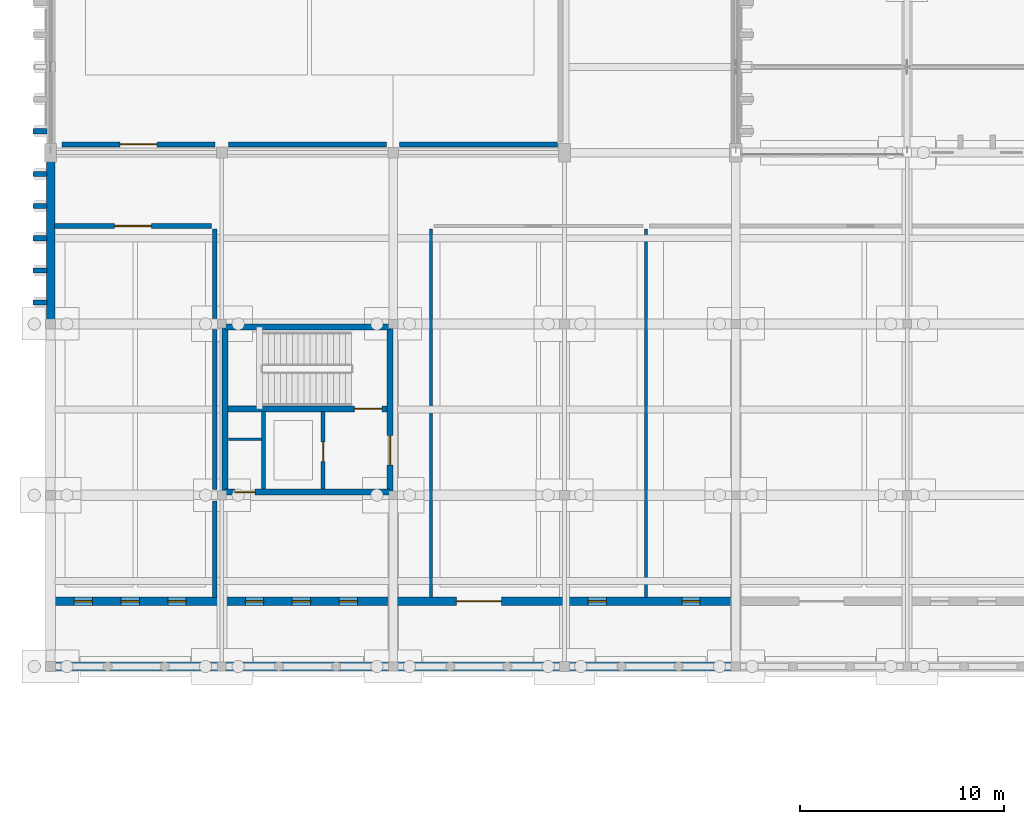
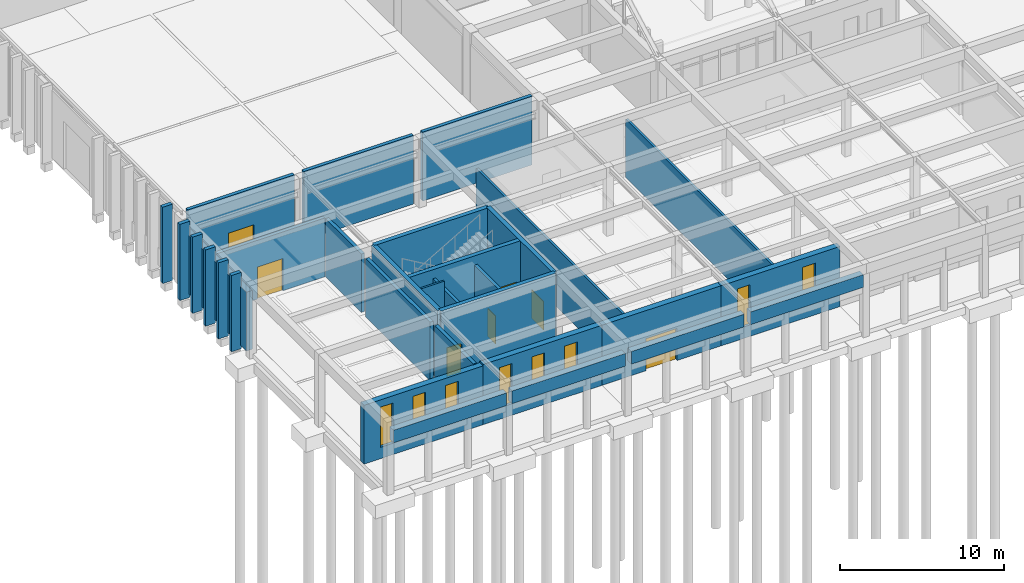
# One storey, part 107 of 143: 32 walls, 8 windows, 7 doors, 15 openings.
"""IFC4 building model written with IfcOpenShell, lengths in metres."""

from ifc_helpers import new_model, si_unit, direction, frame, frame_2d, origin, place, context, subcontext, project, spatial, rectangle, extrude, material, layer, layer_set, type_object, element, fill, save


model = new_model("IFC4")

# Units and contexts
model_context = context("Model", 3, precision=1e-05, world=origin(), true_north=direction((0.0, 1.0)))
body_context = subcontext(model_context, "Body", "Model", "MODEL_VIEW")
ifc_project = project(units=[si_unit("LENGTHUNIT", "METRE"), si_unit("AREAUNIT", "SQUARE_METRE"), si_unit("VOLUMEUNIT", "CUBIC_METRE"), si_unit("PLANEANGLEUNIT", "RADIAN"), si_unit("MASSUNIT", "GRAM", prefix="KILO")], contexts=[model_context])

# Site, building, storey
site_placement = place(None, origin())
site = spatial("IfcSite", under=ifc_project, at=site_placement, CompositionType="ELEMENT")
building_placement = place(site_placement, origin())
building = spatial("IfcBuilding", under=site, at=building_placement, Name="Kveldsbrygga Polytechnic", CompositionType="ELEMENT")
storey_placement = place(building_placement, origin())
storey = spatial("IfcBuildingStorey", under=building, at=storey_placement, Name="L00", CompositionType="ELEMENT", Elevation=0.0)

# Wall, openings, windows
ifc_material_1 = material(Name="Fired clay brick masonry M10", Category="masonry")
ifc_layer_1 = layer(ifc_material_1, 0.419921875)
ifc_layer_set_1 = layer_set([ifc_layer_1], Name="Fired clay brick masonry M10")
wall_type_1 = type_object("IfcWallType", Name="EW-BRICK-420", PredefinedType="SOLIDWALL", material=ifc_layer_set_1)
wall_1_placement = place(storey_placement, frame((0.0, 3.199951171875, 0.0), z_axis=(0.0, 0.0, 1.0), x_axis=(1.0, 0.0, 0.0)))
wall_1 = element("IfcWall", 1, at=wall_1_placement, inside=storey, type_object=wall_type_1, Name="Colonnade Recessed Ground Wall EW-L00-X-00-00", PredefinedType="SOLIDWALL", context=body_context, shape_type="SweptSolid", body=[
    extrude(rectangle(XDim=8.39990234375, YDim=0.419921875, at=frame_2d((4.199951171875, 0.0))), origin(), (0.0, 0.0, 1.0), 4.389892578125),
])
opening_1_placement = place(wall_1_placement, frame((1.14990234375, 0.0, 0.85009765625)))
opening_1 = element("IfcOpeningElement", 2, at=opening_1_placement, cuts=wall_1, Name="Opening W-19", PredefinedType="OPENING", context=body_context, shape_type="SweptSolid", body=[
    extrude(rectangle(XDim=0.89990234375, YDim=3.0, at=frame_2d((0.449951171875, 1.5))), frame((0.0, 0.219970703125, 0.0), z_axis=(0.0, -1.0, 0.0), x_axis=(1.0, 0.0, 0.0)), (0.0, 0.0, 1.0), 0.43994140625),
])
opening_2_placement = place(wall_1_placement, frame((3.449951171875, 0.0, 0.85009765625)))
opening_2 = element("IfcOpeningElement", 3, at=opening_2_placement, cuts=wall_1, Name="Opening W-19", PredefinedType="OPENING", context=body_context, shape_type="SweptSolid", body=[
    extrude(rectangle(XDim=0.89990234375, YDim=3.0, at=frame_2d((0.449951171875, 1.5))), frame((0.0, 0.219970703125, 0.0), z_axis=(0.0, -1.0, 0.0), x_axis=(1.0, 0.0, 0.0)), (0.0, 0.0, 1.0), 0.43994140625),
])
opening_3_placement = place(wall_1_placement, frame((5.75, 0.0, 0.85009765625)))
opening_3 = element("IfcOpeningElement", 4, at=opening_3_placement, cuts=wall_1, Name="Opening W-19", PredefinedType="OPENING", context=body_context, shape_type="SweptSolid", body=[
    extrude(rectangle(XDim=0.89990234375, YDim=3.0, at=frame_2d((0.449951171875, 1.5))), frame((0.0, 0.219970703125, 0.0), z_axis=(0.0, -1.0, 0.0), x_axis=(1.0, 0.0, 0.0)), (0.0, 0.0, 1.0), 0.43994140625),
])
ifc_material_2 = material(Name="Insulated triple low-E glass", Category="glass")
window_type = type_object("IfcWindowType", Name="WN-LANC-090x300", PartitioningType="DOUBLE_PANEL_VERTICAL", PredefinedType="WINDOW", material=ifc_material_2)
window_1_placement = place(opening_1_placement, origin())
window_1 = element("IfcWindow", 5, at=window_1_placement, inside=storey, type_object=window_type, Name="Colonnade Lancet Window WIN-L00-X-00-00-1", OverallHeight=3.0, OverallWidth=0.89990234375, PartitioningType="DOUBLE_PANEL_VERTICAL", PredefinedType="WINDOW", context=body_context, shape_type="SweptSolid", body=[
    extrude(rectangle(XDim=0.89990234375, YDim=3.0, at=frame_2d((0.449951171875, 1.5))), frame((0.0, 0.030029296875, 0.0), z_axis=(0.0, -1.0, 0.0), x_axis=(1.0, 0.0, 0.0)), (0.0, 0.0, 1.0), 0.06005859375),
])
fill(opening_1, window_1)
window_2_placement = place(opening_2_placement, origin())
window_2 = element("IfcWindow", 6, at=window_2_placement, inside=storey, type_object=window_type, Name="Colonnade Lancet Window WIN-L00-X-00-00-2", OverallHeight=3.0, OverallWidth=0.89990234375, PartitioningType="DOUBLE_PANEL_VERTICAL", PredefinedType="WINDOW", context=body_context, shape_type="SweptSolid", body=[
    extrude(rectangle(XDim=0.89990234375, YDim=3.0, at=frame_2d((0.449951171875, 1.5))), frame((0.0, 0.030029296875, 0.0), z_axis=(0.0, -1.0, 0.0), x_axis=(1.0, 0.0, 0.0)), (0.0, 0.0, 1.0), 0.06005859375),
])
fill(opening_2, window_2)
window_3_placement = place(opening_3_placement, origin())
window_3 = element("IfcWindow", 7, at=window_3_placement, inside=storey, type_object=window_type, Name="Colonnade Lancet Window WIN-L00-X-00-00-3", OverallHeight=3.0, OverallWidth=0.89990234375, PartitioningType="DOUBLE_PANEL_VERTICAL", PredefinedType="WINDOW", context=body_context, shape_type="SweptSolid", body=[
    extrude(rectangle(XDim=0.89990234375, YDim=3.0, at=frame_2d((0.449951171875, 1.5))), frame((0.0, 0.030029296875, 0.0), z_axis=(0.0, -1.0, 0.0), x_axis=(1.0, 0.0, 0.0)), (0.0, 0.0, 1.0), 0.06005859375),
])
fill(opening_3, window_3)

# Wall
wall_2_placement = place(storey_placement, frame((0.0, 17.02490234375, 0.0), z_axis=(0.0, 0.0, 1.0), x_axis=(0.0, 1.0, 0.0)))
element("IfcWall", 8, at=wall_2_placement, inside=storey, type_object=wall_type_1, Name="Exterior Brick Wall EW-L00-Y-00-02", PredefinedType="SOLIDWALL", context=body_context, shape_type="SweptSolid", body=[
    extrude(rectangle(XDim=7.739990234375, YDim=0.419921875, at=frame_2d((3.8701171875, 0.0))), origin(), (0.0, 0.0, 1.0), 4.389892578125),
])

# Wall, openings, windows
wall_3_placement = place(storey_placement, frame((8.39990234375, 3.199951171875, 0.0), z_axis=(0.0, 0.0, 1.0), x_axis=(1.0, 0.0, 0.0)))
wall_3 = element("IfcWall", 9, at=wall_3_placement, inside=storey, type_object=wall_type_1, Name="Colonnade Recessed Ground Wall EW-L00-X-01-00", PredefinedType="SOLIDWALL", context=body_context, shape_type="SweptSolid", body=[
    extrude(rectangle(XDim=8.400146484375, YDim=0.419921875, at=frame_2d((4.2001953125, 0.0))), origin(), (0.0, 0.0, 1.0), 4.489990234375),
])
opening_4_placement = place(wall_3_placement, frame((1.14990234375, 0.0, 0.85009765625)))
opening_4 = element("IfcOpeningElement", 10, at=opening_4_placement, cuts=wall_3, Name="Opening W-19", PredefinedType="OPENING", context=body_context, shape_type="SweptSolid", body=[
    extrude(rectangle(XDim=0.89990234375, YDim=3.0, at=frame_2d((0.449951171875, 1.5))), frame((0.0, 0.219970703125, 0.0), z_axis=(0.0, -1.0, 0.0), x_axis=(1.0, 0.0, 0.0)), (0.0, 0.0, 1.0), 0.43994140625),
])
opening_5_placement = place(wall_3_placement, frame((3.449951171875, 0.0, 0.85009765625)))
opening_5 = element("IfcOpeningElement", 11, at=opening_5_placement, cuts=wall_3, Name="Opening W-19", PredefinedType="OPENING", context=body_context, shape_type="SweptSolid", body=[
    extrude(rectangle(XDim=0.89990234375, YDim=3.0, at=frame_2d((0.449951171875, 1.5))), frame((0.0, 0.219970703125, 0.0), z_axis=(0.0, -1.0, 0.0), x_axis=(1.0, 0.0, 0.0)), (0.0, 0.0, 1.0), 0.43994140625),
])
opening_6_placement = place(wall_3_placement, frame((5.75, 0.0, 0.85009765625)))
opening_6 = element("IfcOpeningElement", 12, at=opening_6_placement, cuts=wall_3, Name="Opening W-19", PredefinedType="OPENING", context=body_context, shape_type="SweptSolid", body=[
    extrude(rectangle(XDim=0.89990234375, YDim=3.0, at=frame_2d((0.449951171875, 1.5))), frame((0.0, 0.219970703125, 0.0), z_axis=(0.0, -1.0, 0.0), x_axis=(1.0, 0.0, 0.0)), (0.0, 0.0, 1.0), 0.43994140625),
])
window_4_placement = place(opening_4_placement, origin())
window_4 = element("IfcWindow", 13, at=window_4_placement, inside=storey, type_object=window_type, Name="Colonnade Lancet Window WIN-L00-X-01-00-1", OverallHeight=3.0, OverallWidth=0.89990234375, PartitioningType="DOUBLE_PANEL_VERTICAL", PredefinedType="WINDOW", context=body_context, shape_type="SweptSolid", body=[
    extrude(rectangle(XDim=0.89990234375, YDim=3.0, at=frame_2d((0.449951171875, 1.5))), frame((0.0, 0.030029296875, 0.0), z_axis=(0.0, -1.0, 0.0), x_axis=(1.0, 0.0, 0.0)), (0.0, 0.0, 1.0), 0.06005859375),
])
fill(opening_4, window_4)
window_5_placement = place(opening_5_placement, origin())
window_5 = element("IfcWindow", 14, at=window_5_placement, inside=storey, type_object=window_type, Name="Colonnade Lancet Window WIN-L00-X-01-00-2", OverallHeight=3.0, OverallWidth=0.89990234375, PartitioningType="DOUBLE_PANEL_VERTICAL", PredefinedType="WINDOW", context=body_context, shape_type="SweptSolid", body=[
    extrude(rectangle(XDim=0.89990234375, YDim=3.0, at=frame_2d((0.449951171875, 1.5))), frame((0.0, 0.030029296875, 0.0), z_axis=(0.0, -1.0, 0.0), x_axis=(1.0, 0.0, 0.0)), (0.0, 0.0, 1.0), 0.06005859375),
])
fill(opening_5, window_5)
window_6_placement = place(opening_6_placement, origin())
window_6 = element("IfcWindow", 15, at=window_6_placement, inside=storey, type_object=window_type, Name="Colonnade Lancet Window WIN-L00-X-01-00-3", OverallHeight=3.0, OverallWidth=0.89990234375, PartitioningType="DOUBLE_PANEL_VERTICAL", PredefinedType="WINDOW", context=body_context, shape_type="SweptSolid", body=[
    extrude(rectangle(XDim=0.89990234375, YDim=3.0, at=frame_2d((0.449951171875, 1.5))), frame((0.0, 0.030029296875, 0.0), z_axis=(0.0, -1.0, 0.0), x_axis=(1.0, 0.0, 0.0)), (0.0, 0.0, 1.0), 0.06005859375),
])
fill(opening_6, window_6)

# Wall, opening, door
wall_4_placement = place(storey_placement, frame((16.800048828125, 3.199951171875, 0.0), z_axis=(0.0, 0.0, 1.0), x_axis=(1.0, 0.0, 0.0)))
wall_4 = element("IfcWall", 16, at=wall_4_placement, inside=storey, type_object=wall_type_1, Name="Colonnade Recessed Ground Wall EW-L00-X-02-00", PredefinedType="SOLIDWALL", context=body_context, shape_type="SweptSolid", body=[
    extrude(rectangle(XDim=8.39990234375, YDim=0.419921875, at=frame_2d((4.199951171875, 0.0))), origin(), (0.0, 0.0, 1.0), 4.489990234375),
])
opening_7_placement = place(wall_4_placement, frame((3.10009765625, 0.0, 0.0)))
opening_7 = element("IfcOpeningElement", 17, at=opening_7_placement, cuts=wall_4, Name="Opening ED-01", PredefinedType="OPENING", context=body_context, shape_type="SweptSolid", body=[
    extrude(rectangle(XDim=2.199951171875, YDim=2.39990234375, at=frame_2d((1.10009765625, 1.199951171875))), frame((0.0, 0.219970703125, 0.0), z_axis=(0.0, -1.0, 0.0), x_axis=(1.0, 0.0, 0.0)), (0.0, 0.0, 1.0), 0.43994140625),
])
ifc_material_3 = material(Name="Anodised aluminium AW-6060", Category="aluminium")
door_type_1 = type_object("IfcDoorType", Name="ED-MAIN-220x240", OperationType="DOUBLE_DOOR_SINGLE_SWING", PredefinedType="DOOR", material=ifc_material_3)
door_1_placement = place(opening_7_placement, origin())
door_1 = element("IfcDoor", 18, at=door_1_placement, inside=storey, type_object=door_type_1, Name="Colonnade Entrance Door ED-01", OperationType="DOUBLE_DOOR_SINGLE_SWING", OverallHeight=2.39990234375, OverallWidth=2.199951171875, PredefinedType="DOOR", context=body_context, shape_type="SweptSolid", body=[
    extrude(rectangle(XDim=2.199951171875, YDim=2.39990234375, at=frame_2d((1.10009765625, 1.199951171875))), frame((0.0, 0.02490234375, 0.0), z_axis=(0.0, -1.0, 0.0), x_axis=(1.0, 0.0, 0.0)), (0.0, 0.0, 1.0), 0.050048828125),
])
fill(opening_7, door_1)

# Wall, openings, windows
wall_5_placement = place(storey_placement, frame((25.199951171875, 3.199951171875, 0.0), z_axis=(0.0, 0.0, 1.0), x_axis=(1.0, 0.0, 0.0)))
wall_5 = element("IfcWall", 19, at=wall_5_placement, inside=storey, type_object=wall_type_1, Name="Colonnade Recessed Ground Wall EW-L00-X-03-00", PredefinedType="SOLIDWALL", context=body_context, shape_type="SweptSolid", body=[
    extrude(rectangle(XDim=8.400146484375, YDim=0.419921875, at=frame_2d((4.2001953125, 0.0))), origin(), (0.0, 0.0, 1.0), 4.489990234375),
])
opening_8_placement = place(wall_5_placement, frame((1.14990234375, 0.0, 0.85009765625)))
opening_8 = element("IfcOpeningElement", 20, at=opening_8_placement, cuts=wall_5, Name="Opening W-19", PredefinedType="OPENING", context=body_context, shape_type="SweptSolid", body=[
    extrude(rectangle(XDim=0.89990234375, YDim=3.0, at=frame_2d((0.449951171875, 1.5))), frame((0.0, 0.219970703125, 0.0), z_axis=(0.0, -1.0, 0.0), x_axis=(1.0, 0.0, 0.0)), (0.0, 0.0, 1.0), 0.43994140625),
])
opening_9_placement = place(wall_5_placement, frame((5.75, 0.0, 0.85009765625)))
opening_9 = element("IfcOpeningElement", 21, at=opening_9_placement, cuts=wall_5, Name="Opening W-19", PredefinedType="OPENING", context=body_context, shape_type="SweptSolid", body=[
    extrude(rectangle(XDim=0.89990234375, YDim=3.0, at=frame_2d((0.449951171875, 1.5))), frame((0.0, 0.219970703125, 0.0), z_axis=(0.0, -1.0, 0.0), x_axis=(1.0, 0.0, 0.0)), (0.0, 0.0, 1.0), 0.43994140625),
])
window_7_placement = place(opening_8_placement, origin())
window_7 = element("IfcWindow", 22, at=window_7_placement, inside=storey, type_object=window_type, Name="Colonnade Lancet Window WIN-L00-X-03-00-1", OverallHeight=3.0, OverallWidth=0.89990234375, PartitioningType="DOUBLE_PANEL_VERTICAL", PredefinedType="WINDOW", context=body_context, shape_type="SweptSolid", body=[
    extrude(rectangle(XDim=0.89990234375, YDim=3.0, at=frame_2d((0.449951171875, 1.5))), frame((0.0, 0.030029296875, 0.0), z_axis=(0.0, -1.0, 0.0), x_axis=(1.0, 0.0, 0.0)), (0.0, 0.0, 1.0), 0.06005859375),
])
fill(opening_8, window_7)
window_8_placement = place(opening_9_placement, origin())
window_8 = element("IfcWindow", 23, at=window_8_placement, inside=storey, type_object=window_type, Name="Colonnade Lancet Window WIN-L00-X-03-00-3", OverallHeight=3.0, OverallWidth=0.89990234375, PartitioningType="DOUBLE_PANEL_VERTICAL", PredefinedType="WINDOW", context=body_context, shape_type="SweptSolid", body=[
    extrude(rectangle(XDim=0.89990234375, YDim=3.0, at=frame_2d((0.449951171875, 1.5))), frame((0.0, 0.030029296875, 0.0), z_axis=(0.0, -1.0, 0.0), x_axis=(1.0, 0.0, 0.0)), (0.0, 0.0, 1.0), 0.06005859375),
])
fill(opening_9, window_8)

# Walls
ifc_layer_2 = layer(ifc_material_1, 0.260009765625)
ifc_layer_set_2 = layer_set([ifc_layer_2], Name="Fired clay brick masonry M10")
wall_type_2 = type_object("IfcWallType", Name="EW-BUTT-260", PredefinedType="SOLIDWALL", material=ifc_layer_set_2)
for number, where, z_axis, x_axis, name in (
    (24, (-0.1650390625, 17.85009765625, -0.25), (0.0, 0.0, 1.0), (-1.0, 0.0, 0.0), "Gothic Brick Buttress Pier BUTT-L00-Y-00-02-1"),
    (25, (-0.1650390625, 19.419921875, -0.25), (0.0, 0.0, 1.0), (-1.0, 0.0, 0.0), "Gothic Brick Buttress Pier BUTT-L00-Y-00-02-2"),
    (26, (-0.1650390625, 21.0, -0.25), (0.0, 0.0, 1.0), (-1.0, 0.0, 0.0), "Gothic Brick Buttress Pier BUTT-L00-Y-00-02-3"),
    (27, (-0.1650390625, 22.580078125, -0.25), (0.0, 0.0, 1.0), (-1.0, 0.0, 0.0), "Gothic Brick Buttress Pier BUTT-L00-Y-00-02-4"),
    (28, (-0.1650390625, 24.14990234375, -0.25), (0.0, 0.0, 1.0), (-1.0, 0.0, 0.0), "Gothic Brick Buttress Pier BUTT-L00-Y-00-02-5"),
    (29, (-0.1650390625, 26.25, -0.25), (0.0, 0.0, 1.0), (-1.0, 0.0, 0.0), "Gothic Brick Buttress Pier BUTT-L00-Y-00-03-1"),
):
    element("IfcWall", number, at=place(storey_placement, frame(where, z_axis=z_axis, x_axis=x_axis)), inside=storey, type_object=wall_type_2, Name=name, PredefinedType="SOLIDWALL", context=body_context, shape_type="SweptSolid", body=[
        extrude(rectangle(XDim=0.699951171875, YDim=0.260009765625, at=frame_2d((0.35009765625, 0.0))), origin(), (0.0, 0.0, 1.0), 5.68994140625),
    ])
ifc_material_4 = material(Name="Iddefjord granite ashlar", Category="masonry")
ifc_layer_3 = layer(ifc_material_4, 0.449951171875)
ifc_layer_set_3 = layer_set([ifc_layer_3], Name="Iddefjord granite ashlar")
wall_type_3 = type_object("IfcWallType", Name="EW-GRAN-450", PredefinedType="SOLIDWALL", material=ifc_layer_set_3)
wall_6_placement = place(storey_placement, frame((0.22509765625, 0.0, 3.455078125), z_axis=(0.0, 0.0, 1.0), x_axis=(1.0, 0.0, 0.0)))
element("IfcWall", 30, at=wall_6_placement, inside=storey, type_object=wall_type_3, Name="Harbour Colonnade Granite Arch Header EW-PROM-HDR-00", PredefinedType="SOLIDWALL", context=body_context, shape_type="SweptSolid", body=[
    extrude(rectangle(XDim=7.97998046875, YDim=0.449951171875, at=frame_2d((3.989990234375, 0.0))), origin(), (0.0, 0.0, 1.0), 0.94482421875),
])
wall_7_placement = place(storey_placement, frame((8.594970703125, 0.0, 3.455078125), z_axis=(0.0, 0.0, 1.0), x_axis=(1.0, 0.0, 0.0)))
element("IfcWall", 31, at=wall_7_placement, inside=storey, type_object=wall_type_3, Name="Harbour Colonnade Granite Arch Header EW-PROM-HDR-01", PredefinedType="SOLIDWALL", context=body_context, shape_type="SweptSolid", body=[
    extrude(rectangle(XDim=7.9951171875, YDim=0.449951171875, at=frame_2d((3.99755859375, 0.0))), origin(), (0.0, 0.0, 1.0), 0.94482421875),
])
wall_8_placement = place(storey_placement, frame((17.010009765625, 0.0, 3.455078125), z_axis=(0.0, 0.0, 1.0), x_axis=(1.0, 0.0, 0.0)))
element("IfcWall", 32, at=wall_8_placement, inside=storey, type_object=wall_type_3, Name="Harbour Colonnade Granite Arch Header EW-PROM-HDR-02", PredefinedType="SOLIDWALL", context=body_context, shape_type="SweptSolid", body=[
    extrude(rectangle(XDim=7.965087890625, YDim=0.449951171875, at=frame_2d((3.982421875, 0.0))), origin(), (0.0, 0.0, 1.0), 0.94482421875),
])
wall_9_placement = place(storey_placement, frame((25.425048828125, 0.0, 3.455078125), z_axis=(0.0, 0.0, 1.0), x_axis=(1.0, 0.0, 0.0)))
element("IfcWall", 33, at=wall_9_placement, inside=storey, type_object=wall_type_3, Name="Harbour Colonnade Granite Arch Header EW-PROM-HDR-03", PredefinedType="SOLIDWALL", context=body_context, shape_type="SweptSolid", body=[
    extrude(rectangle(XDim=7.96484375, YDim=0.449951171875, at=frame_2d((3.982421875, 0.0))), origin(), (0.0, 0.0, 1.0), 0.94482421875),
])

# Wall, opening, door
ifc_layer_4 = layer(ifc_material_1, 0.239990234375)
ifc_layer_set_4 = layer_set([ifc_layer_4], Name="Fired clay brick masonry M10")
wall_type_4 = type_object("IfcWallType", Name="IW-COMP-240", PredefinedType="PARTITIONING", material=ifc_layer_set_4)
wall_10_placement = place(storey_placement, frame((0.550048828125, 25.60009765625, 0.0), z_axis=(0.0, 0.0, 1.0), x_axis=(1.0, 0.0, 0.0)))
wall_10 = element("IfcWall", 34, at=wall_10_placement, inside=storey, type_object=wall_type_4, Name="Partition Wall IW-SP-L00-WK1-S1", PredefinedType="PARTITIONING", context=body_context, shape_type="SweptSolid", body=[
    extrude(rectangle(XDim=7.514892578125, YDim=0.239990234375, at=frame_2d((3.75732421875, 0.0))), origin(), (0.0, 0.0, 1.0), 5.139892578125),
])
opening_10_placement = place(wall_10_placement, frame((2.857421875, 0.0, 0.0)))
opening_10 = element("IfcOpeningElement", 35, at=opening_10_placement, cuts=wall_10, Name="Opening ID-L00-016", PredefinedType="OPENING", context=body_context, shape_type="SweptSolid", body=[
    extrude(rectangle(XDim=1.800048828125, YDim=2.39990234375, at=frame_2d((0.89990234375, 1.199951171875))), frame((0.0, 0.1298828125, 0.0), z_axis=(0.0, -1.0, 0.0), x_axis=(1.0, 0.0, 0.0)), (0.0, 0.0, 1.0), 0.260009765625),
])
ifc_material_5 = material(Name="Powder-coated galvanised steel", Category="steel")
door_type_2 = type_object("IfcDoorType", Name="ID-WRK-180x240", OperationType="DOUBLE_DOOR_SINGLE_SWING", PredefinedType="DOOR", material=ifc_material_5)
door_2_placement = place(opening_10_placement, origin())
door_2 = element("IfcDoor", 36, at=door_2_placement, inside=storey, type_object=door_type_2, Name="Interior Door ID-L00-016", OperationType="DOUBLE_DOOR_SINGLE_SWING", OverallHeight=2.39990234375, OverallWidth=1.800048828125, PredefinedType="DOOR", context=body_context, shape_type="SweptSolid", body=[
    extrude(rectangle(XDim=1.800048828125, YDim=2.39990234375, at=frame_2d((0.89990234375, 1.199951171875))), frame((0.0, 0.02490234375, 0.0), z_axis=(0.0, -1.0, 0.0), x_axis=(1.0, 0.0, 0.0)), (0.0, 0.0, 1.0), 0.050048828125),
])
fill(opening_10, door_2)

# Walls
wall_11_placement = place(storey_placement, frame((8.735107421875, 25.60009765625, 0.0), z_axis=(0.0, 0.0, 1.0), x_axis=(1.0, 0.0, 0.0)))
element("IfcWall", 37, at=wall_11_placement, inside=storey, type_object=wall_type_4, Name="Partition Wall IW-SP-L00-WK1-S2", PredefinedType="PARTITIONING", context=body_context, shape_type="SweptSolid", body=[
    extrude(rectangle(XDim=7.744873046875, YDim=0.239990234375, at=frame_2d((3.87255859375, 0.0))), origin(), (0.0, 0.0, 1.0), 5.139892578125),
])
wall_12_placement = place(storey_placement, frame((17.1201171875, 25.60009765625, 0.0), z_axis=(0.0, 0.0, 1.0), x_axis=(1.0, 0.0, 0.0)))
element("IfcWall", 38, at=wall_12_placement, inside=storey, type_object=wall_type_4, Name="Partition Wall IW-SP-L00-WK1-S3", PredefinedType="PARTITIONING", context=body_context, shape_type="SweptSolid", body=[
    extrude(rectangle(XDim=7.72998046875, YDim=0.239990234375, at=frame_2d((3.864990234375, 0.0))), origin(), (0.0, 0.0, 1.0), 5.139892578125),
])

# Wall, opening, door
wall_13_placement = place(storey_placement, frame((0.179931640625, 21.60009765625, 0.0), z_axis=(0.0, 0.0, 1.0), x_axis=(1.0, 0.0, 0.0)))
wall_13 = element("IfcWall", 39, at=wall_13_placement, inside=storey, type_object=wall_type_4, Name="Partition Wall IW-SP-L00-FABLABW-N1", PredefinedType="PARTITIONING", context=body_context, shape_type="SweptSolid", body=[
    extrude(rectangle(XDim=7.719970703125, YDim=0.239990234375, at=frame_2d((3.85986328125, 0.0))), origin(), (0.0, 0.0, 1.0), 4.389892578125),
])
opening_11_placement = place(wall_13_placement, frame((2.9599609375, 0.0, 0.0)))
opening_11 = element("IfcOpeningElement", 40, at=opening_11_placement, cuts=wall_13, Name="Opening ID-L00-021", PredefinedType="OPENING", context=body_context, shape_type="SweptSolid", body=[
    extrude(rectangle(XDim=1.800048828125, YDim=2.39990234375, at=frame_2d((0.89990234375, 1.199951171875))), frame((0.0, 0.1298828125, 0.0), z_axis=(0.0, -1.0, 0.0), x_axis=(1.0, 0.0, 0.0)), (0.0, 0.0, 1.0), 0.260009765625),
])
door_3_placement = place(opening_11_placement, origin())
door_3 = element("IfcDoor", 41, at=door_3_placement, inside=storey, type_object=door_type_2, Name="Interior Door ID-L00-021", OperationType="DOUBLE_DOOR_SINGLE_SWING", OverallHeight=2.39990234375, OverallWidth=1.800048828125, PredefinedType="DOOR", context=body_context, shape_type="SweptSolid", body=[
    extrude(rectangle(XDim=1.800048828125, YDim=2.39990234375, at=frame_2d((0.89990234375, 1.199951171875))), frame((0.0, 0.02490234375, 0.0), z_axis=(0.0, -1.0, 0.0), x_axis=(1.0, 0.0, 0.0)), (0.0, 0.0, 1.0), 0.050048828125),
])
fill(opening_11, door_3)

# Walls
wall_14_placement = place(storey_placement, frame((8.050048828125, 3.3798828125, 0.0), z_axis=(0.0, 0.0, 1.0), x_axis=(0.0, 1.0, 0.0)))
element("IfcWall", 42, at=wall_14_placement, inside=storey, type_object=wall_type_4, Name="Partition Wall IW-SP-L00-FABLABW-E1", PredefinedType="PARTITIONING", context=body_context, shape_type="SweptSolid", body=[
    extrude(rectangle(XDim=4.735107421875, YDim=0.239990234375, at=frame_2d((2.36767578125, 0.0))), origin(), (0.0, 0.0, 1.0), 4.4599609375),
])
wall_15_placement = place(storey_placement, frame((8.050048828125, 8.68505859375, 0.0), z_axis=(0.0, 0.0, 1.0), x_axis=(0.0, 1.0, 0.0)))
element("IfcWall", 43, at=wall_15_placement, inside=storey, type_object=wall_type_4, Name="Partition Wall IW-SP-L00-FABLABW-E2", PredefinedType="PARTITIONING", context=body_context, shape_type="SweptSolid", body=[
    extrude(rectangle(XDim=7.844970703125, YDim=0.239990234375, at=frame_2d((3.92236328125, 0.0))), origin(), (0.0, 0.0, 1.0), 4.360107421875),
])
wall_16_placement = place(storey_placement, frame((8.050048828125, 17.070068359375, 0.0), z_axis=(0.0, 0.0, 1.0), x_axis=(0.0, 1.0, 0.0)))
element("IfcWall", 44, at=wall_16_placement, inside=storey, type_object=wall_type_4, Name="Partition Wall IW-SP-L00-FABLABW-E3", PredefinedType="PARTITIONING", context=body_context, shape_type="SweptSolid", body=[
    extrude(rectangle(XDim=4.3798828125, YDim=0.239990234375, at=frame_2d((2.18994140625, 0.0))), origin(), (0.0, 0.0, 1.0), 4.360107421875),
])
ifc_material_6 = material(Name="Moisture-resistant masonry M10", Category="masonry")
ifc_layer_5 = layer(ifc_material_6, 0.1298828125)
ifc_layer_set_5 = layer_set([ifc_layer_5], Name="Moisture-resistant masonry M10")
wall_type_5 = type_object("IfcWallType", Name="IW-SAN-130", PredefinedType="PARTITIONING", material=ifc_layer_set_5)
wall_17_placement = place(storey_placement, frame((8.719970703125, 11.139892578125, 0.0), z_axis=(0.0, 0.0, 1.0), x_axis=(1.0, 0.0, 0.0)))
element("IfcWall", 45, at=wall_17_placement, inside=storey, type_object=wall_type_5, Name="Core AWC Divider C9-L00-W-RSR", PredefinedType="PARTITIONING", context=body_context, shape_type="SweptSolid", body=[
    extrude(rectangle(XDim=1.6201171875, YDim=0.1298828125, at=frame_2d((0.81005859375, 0.0))), origin(), (0.0, 0.0, 1.0), 5.139892578125),
])
ifc_material_7 = material(Name="Gypsum acoustic stud partition")
ifc_layer_6 = layer(ifc_material_7, 0.159912109375)
ifc_layer_set_6 = layer_set([ifc_layer_6], Name="Gypsum acoustic stud partition")
wall_type_6 = type_object("IfcWallType", Name="IW-STD-160", PredefinedType="PARTITIONING", material=ifc_layer_set_6)
for number, where, z_axis, x_axis, name in (
    (46, (18.64990234375, 3.3798828125, 0.0), (0.0, 0.0, 1.0), (0.0, 1.0, 0.0), "Partition Wall IW-SP-L00-FABLAB-W1"),
    (47, (29.199951171875, 3.3798828125, 0.0), (0.0, 0.0, 1.0), (0.0, 1.0, 0.0), "Partition Wall IW-SP-L00-FABLAB-E1"),
):
    element("IfcWall", number, at=place(storey_placement, frame(where, z_axis=z_axis, x_axis=x_axis)), inside=storey, type_object=wall_type_6, Name=name, PredefinedType="PARTITIONING", context=body_context, shape_type="SweptSolid", body=[
        extrude(rectangle(XDim=18.070068359375, YDim=0.159912109375, at=frame_2d((9.03515625, 0.0))), origin(), (0.0, 0.0, 1.0), 4.360107421875),
    ])

# Wall, opening, door
ifc_material_8 = material(Name="Concrete C45/55", Category="concrete")
ifc_layer_7 = layer(ifc_material_8, 0.300048828125)
ifc_layer_set_7 = layer_set([ifc_layer_7], Name="Concrete C45/55")
wall_type_7 = type_object("IfcWallType", Name="WL-CORE-300", PredefinedType="SHEAR", material=ifc_layer_set_7)
wall_18_placement = place(storey_placement, frame((8.550048828125, 8.550048828125, 0.0), z_axis=(0.0, 0.0, 1.0), x_axis=(1.0, 0.0, 0.0)))
wall_18 = element("IfcWall", 48, at=wall_18_placement, inside=storey, type_object=wall_type_7, Name="Core C9 Shear Wall C9-L00-SW-S", PredefinedType="SHEAR", context=body_context, shape_type="SweptSolid", body=[
    extrude(rectangle(XDim=8.099853515625, YDim=0.300048828125, at=frame_2d((4.0498046875, 0.0))), origin(), (0.0, 0.0, 1.0), 5.139892578125),
])
opening_12_placement = place(wall_18_placement, frame((0.485107421875, 0.0, 0.0)))
opening_12 = element("IfcOpeningElement", 49, at=opening_12_placement, cuts=wall_18, Name="Opening ID-C9-L00-AWC", PredefinedType="OPENING", context=body_context, shape_type="SweptSolid", body=[
    extrude(rectangle(XDim=1.0, YDim=2.14990234375, at=frame_2d((0.5, 1.074951171875))), frame((0.0, 0.16015625, 0.0), z_axis=(0.0, -1.0, 0.0), x_axis=(1.0, 0.0, 0.0)), (0.0, 0.0, 1.0), 0.320068359375),
])
ifc_material_9 = material(Name="Acoustic oak timber", Category="wood")
door_type_3 = type_object("IfcDoorType", Name="ID-AWC-100x215", OperationType="NOTDEFINED", PredefinedType="DOOR", material=ifc_material_9)
door_4_placement = place(opening_12_placement, origin())
door_4 = element("IfcDoor", 50, at=door_4_placement, inside=storey, type_object=door_type_3, Name="Accessible WC Door ID-C9-L00-AWC", OperationType="SINGLE_SWING_RIGHT", OverallHeight=2.14990234375, OverallWidth=1.0, PredefinedType="DOOR", context=body_context, shape_type="SweptSolid", body=[
    extrude(rectangle(XDim=1.0, YDim=2.14990234375, at=frame_2d((0.5, 1.074951171875))), frame((0.0, 0.02490234375, 0.0), z_axis=(0.0, -1.0, 0.0), x_axis=(1.0, 0.0, 0.0)), (0.0, 0.0, 1.0), 0.050048828125),
])
fill(opening_12, door_4)

# Walls
for number, where, z_axis, x_axis, name in (
    (51, (8.550048828125, 16.64990234375, 0.0), (0.0, 0.0, 1.0), (1.0, 0.0, 0.0), "Core C9 Shear Wall C9-L00-SW-N"),
    (52, (8.550048828125, 8.550048828125, 0.0), (0.0, 0.0, 1.0), (0.0, 1.0, 0.0), "Core C9 Shear Wall C9-L00-SW-W"),
):
    element("IfcWall", number, at=place(storey_placement, frame(where, z_axis=z_axis, x_axis=x_axis)), inside=storey, type_object=wall_type_7, Name=name, PredefinedType="SHEAR", context=body_context, shape_type="SweptSolid", body=[
        extrude(rectangle(XDim=8.099853515625, YDim=0.300048828125, at=frame_2d((4.0498046875, 0.0))), origin(), (0.0, 0.0, 1.0), 5.139892578125),
    ])

# Wall, opening, door
wall_19_placement = place(storey_placement, frame((16.64990234375, 8.550048828125, 0.0), z_axis=(0.0, 0.0, 1.0), x_axis=(0.0, 1.0, 0.0)))
wall_19 = element("IfcWall", 53, at=wall_19_placement, inside=storey, type_object=wall_type_7, Name="Core C9 Shear Wall C9-L00-SW-E", PredefinedType="SHEAR", context=body_context, shape_type="SweptSolid", body=[
    extrude(rectangle(XDim=8.099853515625, YDim=0.300048828125, at=frame_2d((4.0498046875, 0.0))), origin(), (0.0, 0.0, 1.0), 5.139892578125),
])
opening_13_placement = place(wall_19_placement, frame((1.324951171875, 0.0, 0.0)))
opening_13 = element("IfcOpeningElement", 54, at=opening_13_placement, cuts=wall_19, Name="Opening FD-C9-L00-LOB", PredefinedType="OPENING", context=body_context, shape_type="SweptSolid", body=[
    extrude(rectangle(XDim=1.449951171875, YDim=2.14990234375, at=frame_2d((0.72509765625, 1.074951171875))), frame((0.0, 0.16015625, 0.0), z_axis=(0.0, -1.0, 0.0), x_axis=(1.0, 0.0, 0.0)), (0.0, 0.0, 1.0), 0.320068359375),
])
door_type_4 = type_object("IfcDoorType", Name="ID-LOBBY-145x215", OperationType="DOUBLE_DOOR_SINGLE_SWING", PredefinedType="DOOR", material=ifc_material_5)
door_5_placement = place(opening_13_placement, origin())
door_5 = element("IfcDoor", 55, at=door_5_placement, inside=storey, type_object=door_type_4, Name="Core Lobby Fire Door FD-C9-L00-LOB", OperationType="DOUBLE_DOOR_SINGLE_SWING", OverallHeight=2.14990234375, OverallWidth=1.449951171875, PredefinedType="DOOR", context=body_context, shape_type="SweptSolid", body=[
    extrude(rectangle(XDim=1.449951171875, YDim=2.14990234375, at=frame_2d((0.72509765625, 1.074951171875))), frame((0.0, 0.02490234375, 0.0), z_axis=(0.0, -1.0, 0.0), x_axis=(1.0, 0.0, 0.0)), (0.0, 0.0, 1.0), 0.050048828125),
])
fill(opening_13, door_5)

wall_20_placement = place(storey_placement, frame((8.699951171875, 12.6298828125, 0.0), z_axis=(0.0, 0.0, 1.0), x_axis=(1.0, 0.0, 0.0)))
wall_20 = element("IfcWall", 56, at=wall_20_placement, inside=storey, type_object=wall_type_7, Name="Core C9 Shear Wall C9-L00-W-DIV", PredefinedType="SHEAR", context=body_context, shape_type="SweptSolid", body=[
    extrude(rectangle(XDim=7.800048828125, YDim=0.300048828125, at=frame_2d((3.89990234375, 0.0))), origin(), (0.0, 0.0, 1.0), 5.139892578125),
])
opening_14_placement = place(wall_20_placement, frame((6.199951171875, 0.0, 0.0)))
opening_14 = element("IfcOpeningElement", 57, at=opening_14_placement, cuts=wall_20, Name="Opening FD-C9-L00-ST", PredefinedType="OPENING", context=body_context, shape_type="SweptSolid", body=[
    extrude(rectangle(XDim=1.35009765625, YDim=2.14990234375, at=frame_2d((0.675048828125, 1.074951171875))), frame((0.0, 0.16015625, 0.0), z_axis=(0.0, -1.0, 0.0), x_axis=(1.0, 0.0, 0.0)), (0.0, 0.0, 1.0), 0.320068359375),
])
door_type_5 = type_object("IfcDoorType", Name="ID-STAIR-135x215", OperationType="NOTDEFINED", PredefinedType="DOOR", material=ifc_material_5)
door_6_placement = place(opening_14_placement, origin())
door_6 = element("IfcDoor", 58, at=door_6_placement, inside=storey, type_object=door_type_5, Name="Stair Fire Door FD-C9-L00-ST", OperationType="SINGLE_SWING_RIGHT", OverallHeight=2.14990234375, OverallWidth=1.35009765625, PredefinedType="DOOR", context=body_context, shape_type="SweptSolid", body=[
    extrude(rectangle(XDim=1.35009765625, YDim=2.14990234375, at=frame_2d((0.675048828125, 1.074951171875))), frame((0.0, 0.02490234375, 0.0), z_axis=(0.0, -1.0, 0.0), x_axis=(1.0, 0.0, 0.0)), (0.0, 0.0, 1.0), 0.050048828125),
])
fill(opening_14, door_6)

ifc_material_10 = material(Name="Concrete C35/45", Category="concrete")
ifc_layer_8 = layer(ifc_material_10, 0.199951171875)
ifc_layer_set_8 = layer_set([ifc_layer_8], Name="Concrete C35/45")
wall_type_8 = type_object("IfcWallType", Name="WL-SHFT-200", PredefinedType="SHEAR", material=ifc_layer_set_8)
wall_21_placement = place(storey_placement, frame((13.360107421875, 8.699951171875, 0.0), z_axis=(0.0, 0.0, 1.0), x_axis=(0.0, 1.0, 0.0)))
wall_21 = element("IfcWall", 59, at=wall_21_placement, inside=storey, type_object=wall_type_8, Name="Lift Front Wall C9-L00-W-LFR", PredefinedType="SHEAR", context=body_context, shape_type="SweptSolid", body=[
    extrude(rectangle(XDim=3.800048828125, YDim=0.199951171875, at=frame_2d((1.89990234375, 0.0))), origin(), (0.0, 0.0, 1.0), 4.4599609375),
])
opening_15_placement = place(wall_21_placement, frame((1.35009765625, 0.0, 0.0)))
opening_15 = element("IfcOpeningElement", 60, at=opening_15_placement, cuts=wall_21, Name="Opening ID-C9-L00-STR", PredefinedType="OPENING", context=body_context, shape_type="SweptSolid", body=[
    extrude(rectangle(XDim=0.949951171875, YDim=2.10009765625, at=frame_2d((0.47509765625, 1.050048828125))), frame((0.0, 0.10986328125, 0.0), z_axis=(0.0, -1.0, 0.0), x_axis=(1.0, 0.0, 0.0)), (0.0, 0.0, 1.0), 0.219970703125),
])
door_type_6 = type_object("IfcDoorType", Name="ID-OFF-095x210", OperationType="NOTDEFINED", PredefinedType="DOOR", material=ifc_material_9)
door_7_placement = place(opening_15_placement, origin())
door_7 = element("IfcDoor", 61, at=door_7_placement, inside=storey, type_object=door_type_6, Name="Cleaner Store Door ID-C9-L00-STR", OperationType="SINGLE_SWING_LEFT", OverallHeight=2.10009765625, OverallWidth=0.949951171875, PredefinedType="DOOR", context=body_context, shape_type="SweptSolid", body=[
    extrude(rectangle(XDim=0.949951171875, YDim=2.10009765625, at=frame_2d((0.47509765625, 1.050048828125))), frame((0.0, 0.02490234375, 0.0), z_axis=(0.0, -1.0, 0.0), x_axis=(1.0, 0.0, 0.0)), (0.0, 0.0, 1.0), 0.050048828125),
])
fill(opening_15, door_7)

# Wall
wall_22_placement = place(storey_placement, frame((10.43994140625, 8.699951171875, 0.0), z_axis=(0.0, 0.0, 1.0), x_axis=(0.0, 1.0, 0.0)))
element("IfcWall", 62, at=wall_22_placement, inside=storey, type_object=wall_type_8, Name="Lift Back Wall C9-L00-W-LBK", PredefinedType="SHEAR", context=body_context, shape_type="SweptSolid", body=[
    extrude(rectangle(XDim=3.800048828125, YDim=0.199951171875, at=frame_2d((1.89990234375, 0.0))), origin(), (0.0, 0.0, 1.0), 4.4599609375),
])

save(model, "model.ifc")
